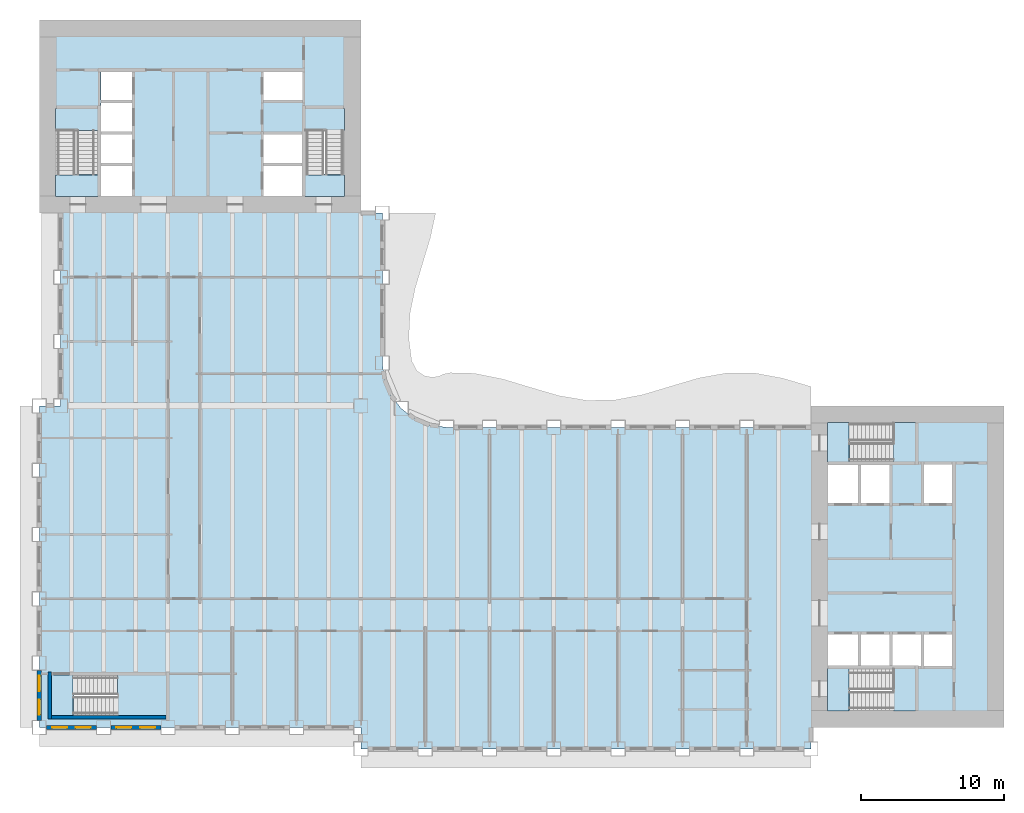
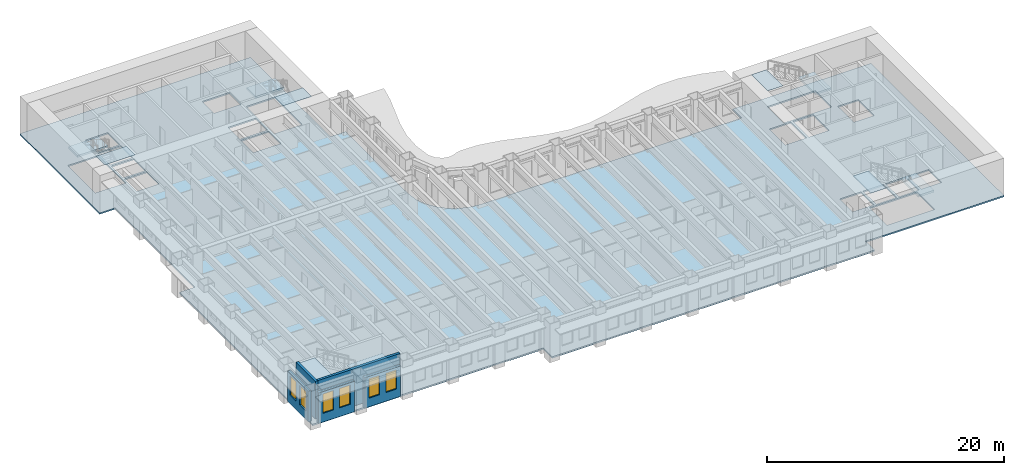
# One storey, part 2 of 16: 11 slabs, 6 windows, 5 walls, 6 openings, 5 elements without a shape of their own.
"""IFC4 building model written with IfcOpenShell, lengths in metres."""

from ifc_helpers import new_model, si_unit, direction, frame, frame_2d, origin, place, context, subcontext, project, spatial, polyline, rectangle, outline, extrude, material, layer, layer_set, type_object, element, fill, aggregate, save


model = new_model("IFC4")

# Units and contexts
model_context = context("Model", 3, precision=1e-05, world=origin(), true_north=direction((0.0, 1.0)))
body_context = subcontext(model_context, "Body", "Model", "MODEL_VIEW")
ifc_project = project(units=[si_unit("LENGTHUNIT", "METRE"), si_unit("AREAUNIT", "SQUARE_METRE"), si_unit("VOLUMEUNIT", "CUBIC_METRE"), si_unit("PLANEANGLEUNIT", "RADIAN"), si_unit("MASSUNIT", "GRAM", prefix="KILO")], contexts=[model_context])

# Site, building, storey
site_placement = place(None, origin())
site = spatial("IfcSite", under=ifc_project, at=site_placement, CompositionType="ELEMENT")
building_placement = place(site_placement, origin())
building = spatial("IfcBuilding", under=site, at=building_placement, Name="Sennacour Bend Tower", CompositionType="ELEMENT")
storey_placement = place(building_placement, frame((0.0, 0.0, 111.0)))
storey = spatial("IfcBuildingStorey", under=building, at=storey_placement, Name="L25", CompositionType="ELEMENT", Elevation=111.0)

# Slabs
ifc_material_1 = material(Name="Concrete C30/37", Category="concrete")
ifc_layer_1 = layer(ifc_material_1, 0.14990234375, Name="Concrete C30/37", Category="concrete")
ifc_layer_set_1 = layer_set([ifc_layer_1], Name="Concrete C30/37")
slab_type_1 = type_object("IfcSlabType", Name="Floor slab 150", PredefinedType="FLOOR", material=ifc_layer_set_1)
slab_1_placement = place(storey_placement, frame((0.0, 0.0, -0.14990234375)))
element("IfcSlab", 1, at=slab_1_placement, inside=storey, type_object=slab_type_1, Name="Floor slab L25-01", PredefinedType="FLOOR", context=body_context, shape_type="SweptSolid", body=[
    extrude(outline(polyline([(22.5, 0.0), (0.0, 0.0), (0.0, 22.5), (1.5, 22.5), (1.5, 36.0), (0.0, 36.0), (0.0, 49.5), (22.5, 49.5), (22.5, 36.0), (24.0, 36.0), (24.0, 25.5), (24.1533203125, 24.335205078125), (24.602783203125, 23.25), (25.318115234375, 22.318115234375), (26.25, 21.602783203125), (27.335205078125, 21.1533203125), (28.5, 21.0), (54.0, 21.0), (54.0, 22.5), (67.5, 22.5), (67.5, 0.0), (54.0, 0.0), (54.0, -1.5), (22.5, -1.5), (22.5, 0.0)]), holes=[polyline([(8.800048828125, 0.949951171875), (8.800048828125, 3.5), (2.429931640625, 3.5), (2.429931640625, 0.949951171875), (8.800048828125, 0.949951171875)]), polyline([(6.5, 37.199951171875), (6.5, 39.300048828125), (4.300048828125, 39.300048828125), (4.300048828125, 37.199951171875), (6.5, 37.199951171875)]), polyline([(18.39990234375, 37.199951171875), (18.39990234375, 39.300048828125), (15.699951171875, 39.300048828125), (15.699951171875, 37.199951171875), (18.39990234375, 37.199951171875)]), polyline([(6.5, 39.5), (6.5, 41.5), (4.300048828125, 41.5), (4.300048828125, 39.5), (6.5, 39.5)]), polyline([(18.39990234375, 39.5), (18.39990234375, 41.5), (15.699951171875, 41.5), (15.699951171875, 39.5), (18.39990234375, 39.5)]), polyline([(4.125, 38.72998046875), (4.125, 43.39990234375), (1.14990234375, 43.39990234375), (1.14990234375, 38.72998046875), (4.125, 38.72998046875)]), polyline([(21.35009765625, 38.72998046875), (21.35009765625, 43.39990234375), (18.574951171875, 43.39990234375), (18.574951171875, 38.72998046875), (21.35009765625, 38.72998046875)]), polyline([(4.300048828125, 41.699951171875), (6.5, 41.699951171875), (6.5, 43.699951171875), (4.300048828125, 43.699951171875), (4.300048828125, 41.699951171875)]), polyline([(4.300048828125, 43.89990234375), (6.5, 43.89990234375), (6.5, 45.89990234375), (4.300048828125, 45.89990234375), (4.300048828125, 43.89990234375)]), polyline([(18.39990234375, 43.89990234375), (18.39990234375, 45.89990234375), (15.699951171875, 45.89990234375), (15.699951171875, 43.89990234375), (18.39990234375, 43.89990234375)]), polyline([(61.39990234375, 1.14990234375), (61.39990234375, 4.125), (56.72998046875, 4.125), (56.72998046875, 1.14990234375), (61.39990234375, 1.14990234375)]), polyline([(57.300048828125, 4.300048828125), (57.300048828125, 6.5), (55.199951171875, 6.5), (55.199951171875, 4.300048828125), (57.300048828125, 4.300048828125)]), polyline([(57.5, 4.300048828125), (59.5, 4.300048828125), (59.5, 6.5), (57.5, 6.5), (57.5, 4.300048828125)]), polyline([(59.699951171875, 4.300048828125), (61.699951171875, 4.300048828125), (61.699951171875, 6.5), (59.699951171875, 6.5), (59.699951171875, 4.300048828125)]), polyline([(63.89990234375, 4.300048828125), (63.89990234375, 6.5), (61.89990234375, 6.5), (61.89990234375, 4.300048828125), (63.89990234375, 4.300048828125)]), polyline([(57.300048828125, 15.699951171875), (57.300048828125, 18.39990234375), (55.199951171875, 18.39990234375), (55.199951171875, 15.699951171875), (57.300048828125, 15.699951171875)]), polyline([(59.5, 15.699951171875), (59.5, 18.39990234375), (57.5, 18.39990234375), (57.5, 15.699951171875), (59.5, 15.699951171875)]), polyline([(61.89990234375, 15.699951171875), (63.89990234375, 15.699951171875), (63.89990234375, 18.39990234375), (61.89990234375, 18.39990234375), (61.89990234375, 15.699951171875)]), polyline([(56.72998046875, 18.574951171875), (61.39990234375, 18.574951171875), (61.39990234375, 21.35009765625), (56.72998046875, 21.35009765625), (56.72998046875, 18.574951171875)])]), origin(), (0.0, 0.0, 1.0), 0.14990234375),
])
ifc_material_2 = material(Name="Concrete C40/50", Category="concrete")
ifc_layer_2 = layer(ifc_material_2, 0.034912109375, Name="Concrete C40/50", Category="concrete")
ifc_layer_set_2 = layer_set([ifc_layer_2], Name="Concrete C40/50")
slab_type_2 = type_object("IfcSlabType", Name="Stair arrival nib 35", PredefinedType="FLOOR", material=ifc_layer_set_2)
slab_2_placement = place(storey_placement, frame((0.0, 0.0, 3.815185546875)))
element("IfcSlab", 2, at=slab_2_placement, inside=storey, type_object=slab_type_2, Name="L25 SA1 stair arrival nib", PredefinedType="FLOOR", context=body_context, shape_type="SweptSolid", body=[
    extrude(outline(polyline([(56.64208984375, 4.125), (55.14990234375, 4.125), (55.14990234375, 1.14990234375), (56.64208984375, 1.14990234375), (56.64208984375, 4.125)])), origin(), (0.0, 0.0, 1.0), 0.034912109375),
])
slab_3_placement = place(storey_placement, frame((0.0, 0.0, 3.815185546875)))
element("IfcSlab", 3, at=slab_3_placement, inside=storey, type_object=slab_type_2, Name="L25 SA2 stair arrival nib", PredefinedType="FLOOR", context=body_context, shape_type="SweptSolid", body=[
    extrude(outline(polyline([(56.64208984375, 21.35009765625), (55.14990234375, 21.35009765625), (55.14990234375, 18.574951171875), (56.64208984375, 18.574951171875), (56.64208984375, 21.35009765625)])), origin(), (0.0, 0.0, 1.0), 0.034912109375),
])
slab_4_placement = place(storey_placement, frame((0.0, 0.0, 3.815185546875)))
element("IfcSlab", 4, at=slab_4_placement, inside=storey, type_object=slab_type_2, Name="L25 SB1 stair arrival nib", PredefinedType="FLOOR", context=body_context, shape_type="SweptSolid", body=[
    extrude(outline(polyline([(1.14990234375, 38.64208984375), (1.14990234375, 37.14990234375), (4.125, 37.14990234375), (4.125, 38.64208984375), (1.14990234375, 38.64208984375)])), origin(), (0.0, 0.0, 1.0), 0.034912109375),
])
slab_5_placement = place(storey_placement, frame((0.0, 0.0, 3.815185546875)))
element("IfcSlab", 5, at=slab_5_placement, inside=storey, type_object=slab_type_2, Name="L25 SB2 stair arrival nib", PredefinedType="FLOOR", context=body_context, shape_type="SweptSolid", body=[
    extrude(outline(polyline([(18.574951171875, 38.64208984375), (18.574951171875, 37.14990234375), (21.35009765625, 37.14990234375), (21.35009765625, 38.64208984375), (18.574951171875, 38.64208984375)])), origin(), (0.0, 0.0, 1.0), 0.034912109375),
])
slab_6_placement = place(storey_placement, frame((0.0, 0.0, 3.815185546875)))
element("IfcSlab", 6, at=slab_6_placement, inside=storey, type_object=slab_type_2, Name="L25 SK1 stair arrival nib", PredefinedType="FLOOR", context=body_context, shape_type="SweptSolid", body=[
    extrude(outline(polyline([(2.342041015625, 3.675048828125), (0.800048828125, 3.675048828125), (0.800048828125, 0.800048828125), (2.342041015625, 0.800048828125), (2.342041015625, 3.675048828125)])), origin(), (0.0, 0.0, 1.0), 0.034912109375),
])

# Stair, slab
stair_type = type_object("IfcStairType", Name="ST-DOGLEG", PredefinedType="HALF_TURN_STAIR", material=ifc_material_2)
stair_1_placement = place(storey_placement, origin())
stair_1 = element("IfcStair", 7, at=stair_1_placement, inside=storey, type_object=stair_type, Name="L25 Exit stair A1", PredefinedType="HALF_TURN_STAIR")
ifc_layer_3 = layer(ifc_material_2, 0.199951171875, Name="Concrete C40/50", Category="concrete")
ifc_layer_set_3 = layer_set([ifc_layer_3], Name="Concrete C40/50")
slab_type_3 = type_object("IfcSlabType", Name="Stair landing 200", PredefinedType="LANDING", material=ifc_layer_set_3)
slab_7_placement = place(storey_placement, frame((0.0, 0.0, 1.800048828125)))
slab_7 = element("IfcSlab", 8, at=slab_7_placement, type_object=slab_type_3, Name="SA1 landing 1", PredefinedType="LANDING", context=body_context, shape_type="SweptSolid", body=[
    extrude(outline(polyline([(59.780029296875, 1.14990234375), (61.324951171875, 1.14990234375), (61.324951171875, 4.125), (59.780029296875, 4.125), (59.780029296875, 1.14990234375)])), origin(), (0.0, 0.0, 1.0), 0.199951171875),
])
aggregate(stair_1, [slab_7])

stair_2_placement = place(storey_placement, origin())
stair_2 = element("IfcStair", 9, at=stair_2_placement, inside=storey, type_object=stair_type, Name="L25 Exit stair A2", PredefinedType="HALF_TURN_STAIR")
slab_8_placement = place(storey_placement, frame((0.0, 0.0, 1.800048828125)))
slab_8 = element("IfcSlab", 10, at=slab_8_placement, type_object=slab_type_3, Name="SA2 landing 1", PredefinedType="LANDING", context=body_context, shape_type="SweptSolid", body=[
    extrude(outline(polyline([(59.780029296875, 18.574951171875), (61.324951171875, 18.574951171875), (61.324951171875, 21.35009765625), (59.780029296875, 21.35009765625), (59.780029296875, 18.574951171875)])), origin(), (0.0, 0.0, 1.0), 0.199951171875),
])
aggregate(stair_2, [slab_8])

stair_3_placement = place(storey_placement, origin())
stair_3 = element("IfcStair", 11, at=stair_3_placement, inside=storey, type_object=stair_type, Name="L25 Exit stair B1", PredefinedType="HALF_TURN_STAIR")
slab_9_placement = place(storey_placement, frame((0.0, 0.0, 1.800048828125)))
slab_9 = element("IfcSlab", 12, at=slab_9_placement, type_object=slab_type_3, Name="SB1 landing 1", PredefinedType="LANDING", context=body_context, shape_type="SweptSolid", body=[
    extrude(outline(polyline([(1.14990234375, 41.780029296875), (4.125, 41.780029296875), (4.125, 43.324951171875), (1.14990234375, 43.324951171875), (1.14990234375, 41.780029296875)])), origin(), (0.0, 0.0, 1.0), 0.199951171875),
])
aggregate(stair_3, [slab_9])

stair_4_placement = place(storey_placement, origin())
stair_4 = element("IfcStair", 13, at=stair_4_placement, inside=storey, type_object=stair_type, Name="L25 Exit stair B2", PredefinedType="HALF_TURN_STAIR")
slab_10_placement = place(storey_placement, frame((0.0, 0.0, 1.800048828125)))
slab_10 = element("IfcSlab", 14, at=slab_10_placement, type_object=slab_type_3, Name="SB2 landing 1", PredefinedType="LANDING", context=body_context, shape_type="SweptSolid", body=[
    extrude(outline(polyline([(18.574951171875, 41.780029296875), (21.35009765625, 41.780029296875), (21.35009765625, 43.324951171875), (18.574951171875, 43.324951171875), (18.574951171875, 41.780029296875)])), origin(), (0.0, 0.0, 1.0), 0.199951171875),
])
aggregate(stair_4, [slab_10])

stair_5_placement = place(storey_placement, origin())
stair_5 = element("IfcStair", 15, at=stair_5_placement, inside=storey, type_object=stair_type, Name="L25 Exit stair K1", PredefinedType="HALF_TURN_STAIR")
slab_11_placement = place(storey_placement, frame((0.0, 0.0, 1.800048828125)))
slab_11 = element("IfcSlab", 16, at=slab_11_placement, type_object=slab_type_3, Name="SK1 landing 1", PredefinedType="LANDING", context=body_context, shape_type="SweptSolid", body=[
    extrude(outline(polyline([(5.47998046875, 0.800048828125), (8.925048828125, 0.800048828125), (8.925048828125, 3.675048828125), (5.47998046875, 3.675048828125), (5.47998046875, 0.800048828125)])), origin(), (0.0, 0.0, 1.0), 0.199951171875),
])
aggregate(stair_5, [slab_11])

# Wall, openings, windows
ifc_material_3 = material(Name="Warm limestone cladding", Category="masonry")
ifc_layer_4 = layer(ifc_material_3, 0.050048828125, Name="Warm limestone cladding", Category="masonry")
ifc_material_4 = material(Name="Precast concrete C40/50", Category="concrete")
ifc_layer_5 = layer(ifc_material_4, 0.25, Name="Precast concrete C40/50", Category="concrete")
ifc_layer_set_4 = layer_set([ifc_layer_4, ifc_layer_5], Name="Precast concrete C40/50 with limestone cladding")
wall_type_1 = type_object("IfcWallType", Name="STONE-CLAD PRECAST SPANDREL 300", PredefinedType="STANDARD", material=ifc_layer_set_4)
wall_1_placement = place(storey_placement, frame((0.0, 4.0, 0.0), z_axis=(0.0, 0.0, 1.0), x_axis=(0.0, -1.0, 0.0)))
wall_1 = element("IfcWall", 17, at=wall_1_placement, inside=storey, type_object=wall_type_1, Name="Stone spandrel and pier wall L25 21.04", PredefinedType="STANDARD", context=body_context, shape_type="SweptSolid", body=[
    extrude(rectangle(XDim=3.5, YDim=0.300048828125, at=frame_2d((1.75, 0.0))), origin(), (0.0, 0.0, 1.0), 3.154052734375),
])
opening_1_placement = place(wall_1_placement, frame((0.39990234375, 0.0, 0.89990234375)))
opening_1 = element("IfcOpeningElement", 18, at=opening_1_placement, cuts=wall_1, Name="Opening W13", PredefinedType="OPENING", context=body_context, shape_type="SweptSolid", body=[
    extrude(rectangle(XDim=1.050048828125, YDim=2.0, at=frame_2d((0.52490234375, 1.0))), frame((0.0, 0.16015625, 0.0), z_axis=(0.0, -1.0, 0.0), x_axis=(1.0, 0.0, 0.0)), (0.0, 0.0, 1.0), 0.320068359375),
])
opening_2_placement = place(wall_1_placement, frame((2.050048828125, 0.0, 0.89990234375)))
opening_2 = element("IfcOpeningElement", 19, at=opening_2_placement, cuts=wall_1, Name="Opening W13", PredefinedType="OPENING", context=body_context, shape_type="SweptSolid", body=[
    extrude(rectangle(XDim=1.050048828125, YDim=2.0, at=frame_2d((0.52490234375, 1.0))), frame((0.0, 0.16015625, 0.0), z_axis=(0.0, -1.0, 0.0), x_axis=(1.0, 0.0, 0.0)), (0.0, 0.0, 1.0), 0.320068359375),
])
ifc_material_5 = material(Name="Clear low-emissivity glass", Category="glass")
window_type = type_object("IfcWindowType", Name="WIN-RIBBON-1050x2000", PartitioningType="SINGLE_PANEL", PredefinedType="WINDOW", material=ifc_material_5)
window_1_placement = place(opening_1_placement, origin())
window_1 = element("IfcWindow", 20, at=window_1_placement, inside=storey, type_object=window_type, Name="Ribbon window L25 21.04.0", OverallHeight=2.0, OverallWidth=1.050048828125, PartitioningType="SINGLE_PANEL", PredefinedType="WINDOW", context=body_context, shape_type="SweptSolid", body=[
    extrude(rectangle(XDim=1.050048828125, YDim=2.0, at=frame_2d((0.52490234375, 1.0))), frame((0.0, 0.030029296875, 0.0), z_axis=(0.0, -1.0, 0.0), x_axis=(1.0, 0.0, 0.0)), (0.0, 0.0, 1.0), 0.06005859375),
])
fill(opening_1, window_1)
window_2_placement = place(opening_2_placement, origin())
window_2 = element("IfcWindow", 21, at=window_2_placement, inside=storey, type_object=window_type, Name="Ribbon window L25 21.04.1", OverallHeight=2.0, OverallWidth=1.050048828125, PartitioningType="SINGLE_PANEL", PredefinedType="WINDOW", context=body_context, shape_type="SweptSolid", body=[
    extrude(rectangle(XDim=1.050048828125, YDim=2.0, at=frame_2d((0.52490234375, 1.0))), frame((0.0, 0.030029296875, 0.0), z_axis=(0.0, -1.0, 0.0), x_axis=(1.0, 0.0, 0.0)), (0.0, 0.0, 1.0), 0.06005859375),
])
fill(opening_2, window_2)

wall_2_placement = place(storey_placement, frame((0.5, 0.0, 0.0), z_axis=(0.0, 0.0, 1.0), x_axis=(1.0, 0.0, 0.0)))
wall_2 = element("IfcWall", 22, at=wall_2_placement, inside=storey, type_object=wall_type_1, Name="Stone spandrel and pier wall L25 22.00", PredefinedType="STANDARD", context=body_context, shape_type="SweptSolid", body=[
    extrude(rectangle(XDim=3.5, YDim=0.300048828125, at=frame_2d((1.75, 0.0))), origin(), (0.0, 0.0, 1.0), 3.154052734375),
])
opening_3_placement = place(wall_2_placement, frame((0.39990234375, 0.0, 0.89990234375)))
opening_3 = element("IfcOpeningElement", 23, at=opening_3_placement, cuts=wall_2, Name="Opening W13", PredefinedType="OPENING", context=body_context, shape_type="SweptSolid", body=[
    extrude(rectangle(XDim=1.050048828125, YDim=2.0, at=frame_2d((0.52490234375, 1.0))), frame((0.0, 0.16015625, 0.0), z_axis=(0.0, -1.0, 0.0), x_axis=(1.0, 0.0, 0.0)), (0.0, 0.0, 1.0), 0.320068359375),
])
opening_4_placement = place(wall_2_placement, frame((2.050048828125, 0.0, 0.89990234375)))
opening_4 = element("IfcOpeningElement", 24, at=opening_4_placement, cuts=wall_2, Name="Opening W13", PredefinedType="OPENING", context=body_context, shape_type="SweptSolid", body=[
    extrude(rectangle(XDim=1.050048828125, YDim=2.0, at=frame_2d((0.52490234375, 1.0))), frame((0.0, 0.16015625, 0.0), z_axis=(0.0, -1.0, 0.0), x_axis=(1.0, 0.0, 0.0)), (0.0, 0.0, 1.0), 0.320068359375),
])
window_3_placement = place(opening_3_placement, origin())
window_3 = element("IfcWindow", 25, at=window_3_placement, inside=storey, type_object=window_type, Name="Ribbon window L25 22.00.0", OverallHeight=2.0, OverallWidth=1.050048828125, PartitioningType="SINGLE_PANEL", PredefinedType="WINDOW", context=body_context, shape_type="SweptSolid", body=[
    extrude(rectangle(XDim=1.050048828125, YDim=2.0, at=frame_2d((0.52490234375, 1.0))), frame((0.0, 0.030029296875, 0.0), z_axis=(0.0, -1.0, 0.0), x_axis=(1.0, 0.0, 0.0)), (0.0, 0.0, 1.0), 0.06005859375),
])
fill(opening_3, window_3)
window_4_placement = place(opening_4_placement, origin())
window_4 = element("IfcWindow", 26, at=window_4_placement, inside=storey, type_object=window_type, Name="Ribbon window L25 22.00.1", OverallHeight=2.0, OverallWidth=1.050048828125, PartitioningType="SINGLE_PANEL", PredefinedType="WINDOW", context=body_context, shape_type="SweptSolid", body=[
    extrude(rectangle(XDim=1.050048828125, YDim=2.0, at=frame_2d((0.52490234375, 1.0))), frame((0.0, 0.030029296875, 0.0), z_axis=(0.0, -1.0, 0.0), x_axis=(1.0, 0.0, 0.0)), (0.0, 0.0, 1.0), 0.06005859375),
])
fill(opening_4, window_4)

wall_3_placement = place(storey_placement, frame((5.0, 0.0, 0.0), z_axis=(0.0, 0.0, 1.0), x_axis=(1.0, 0.0, 0.0)))
wall_3 = element("IfcWall", 27, at=wall_3_placement, inside=storey, type_object=wall_type_1, Name="Stone spandrel and pier wall L25 22.01", PredefinedType="STANDARD", context=body_context, shape_type="SweptSolid", body=[
    extrude(rectangle(XDim=3.5, YDim=0.300048828125, at=frame_2d((1.75, 0.0))), origin(), (0.0, 0.0, 1.0), 3.154052734375),
])
opening_5_placement = place(wall_3_placement, frame((0.39990234375, 0.0, 0.89990234375)))
opening_5 = element("IfcOpeningElement", 28, at=opening_5_placement, cuts=wall_3, Name="Opening W13", PredefinedType="OPENING", context=body_context, shape_type="SweptSolid", body=[
    extrude(rectangle(XDim=1.050048828125, YDim=2.0, at=frame_2d((0.52490234375, 1.0))), frame((0.0, 0.16015625, 0.0), z_axis=(0.0, -1.0, 0.0), x_axis=(1.0, 0.0, 0.0)), (0.0, 0.0, 1.0), 0.320068359375),
])
opening_6_placement = place(wall_3_placement, frame((2.050048828125, 0.0, 0.89990234375)))
opening_6 = element("IfcOpeningElement", 29, at=opening_6_placement, cuts=wall_3, Name="Opening W13", PredefinedType="OPENING", context=body_context, shape_type="SweptSolid", body=[
    extrude(rectangle(XDim=1.050048828125, YDim=2.0, at=frame_2d((0.52490234375, 1.0))), frame((0.0, 0.16015625, 0.0), z_axis=(0.0, -1.0, 0.0), x_axis=(1.0, 0.0, 0.0)), (0.0, 0.0, 1.0), 0.320068359375),
])
window_5_placement = place(opening_5_placement, origin())
window_5 = element("IfcWindow", 30, at=window_5_placement, inside=storey, type_object=window_type, Name="Ribbon window L25 22.01.0", OverallHeight=2.0, OverallWidth=1.050048828125, PartitioningType="SINGLE_PANEL", PredefinedType="WINDOW", context=body_context, shape_type="SweptSolid", body=[
    extrude(rectangle(XDim=1.050048828125, YDim=2.0, at=frame_2d((0.52490234375, 1.0))), frame((0.0, 0.030029296875, 0.0), z_axis=(0.0, -1.0, 0.0), x_axis=(1.0, 0.0, 0.0)), (0.0, 0.0, 1.0), 0.06005859375),
])
fill(opening_5, window_5)
window_6_placement = place(opening_6_placement, origin())
window_6 = element("IfcWindow", 31, at=window_6_placement, inside=storey, type_object=window_type, Name="Ribbon window L25 22.01.1", OverallHeight=2.0, OverallWidth=1.050048828125, PartitioningType="SINGLE_PANEL", PredefinedType="WINDOW", context=body_context, shape_type="SweptSolid", body=[
    extrude(rectangle(XDim=1.050048828125, YDim=2.0, at=frame_2d((0.52490234375, 1.0))), frame((0.0, 0.030029296875, 0.0), z_axis=(0.0, -1.0, 0.0), x_axis=(1.0, 0.0, 0.0)), (0.0, 0.0, 1.0), 0.06005859375),
])
fill(opening_6, window_6)

# Walls
ifc_material_6 = material(Name="Concrete C60/75", Category="concrete")
ifc_layer_6 = layer(ifc_material_6, 0.25, Name="Concrete C60/75", Category="concrete")
ifc_layer_set_5 = layer_set([ifc_layer_6], Name="Concrete C60/75")
wall_type_2 = type_object("IfcWallType", Name="Stair wall 250", PredefinedType="SHEAR", material=ifc_layer_set_5)
wall_4_placement = place(storey_placement, frame((0.72509765625, 0.60009765625, 0.0), z_axis=(0.0, 0.0, 1.0), x_axis=(0.0, 1.0, 0.0)))
element("IfcWall", 32, at=wall_4_placement, inside=storey, type_object=wall_type_2, Name="P-L25-W002", PredefinedType="SHEAR", context=body_context, shape_type="SweptSolid", body=[
    extrude(rectangle(XDim=3.27490234375, YDim=0.25, at=frame_2d((1.637451171875, 0.0))), origin(), (0.0, 0.0, 1.0), 3.85009765625),
])
wall_5_placement = place(storey_placement, frame((0.85009765625, 0.72509765625, 0.0), z_axis=(0.0, 0.0, 1.0), x_axis=(1.0, 0.0, 0.0)))
element("IfcWall", 33, at=wall_5_placement, inside=storey, type_object=wall_type_2, Name="P-L25-W047", PredefinedType="SHEAR", context=body_context, shape_type="SweptSolid", body=[
    extrude(rectangle(XDim=8.02490234375, YDim=0.25, at=frame_2d((4.012451171875, 0.0))), origin(), (0.0, 0.0, 1.0), 3.85009765625),
])

save(model, "model.ifc")
